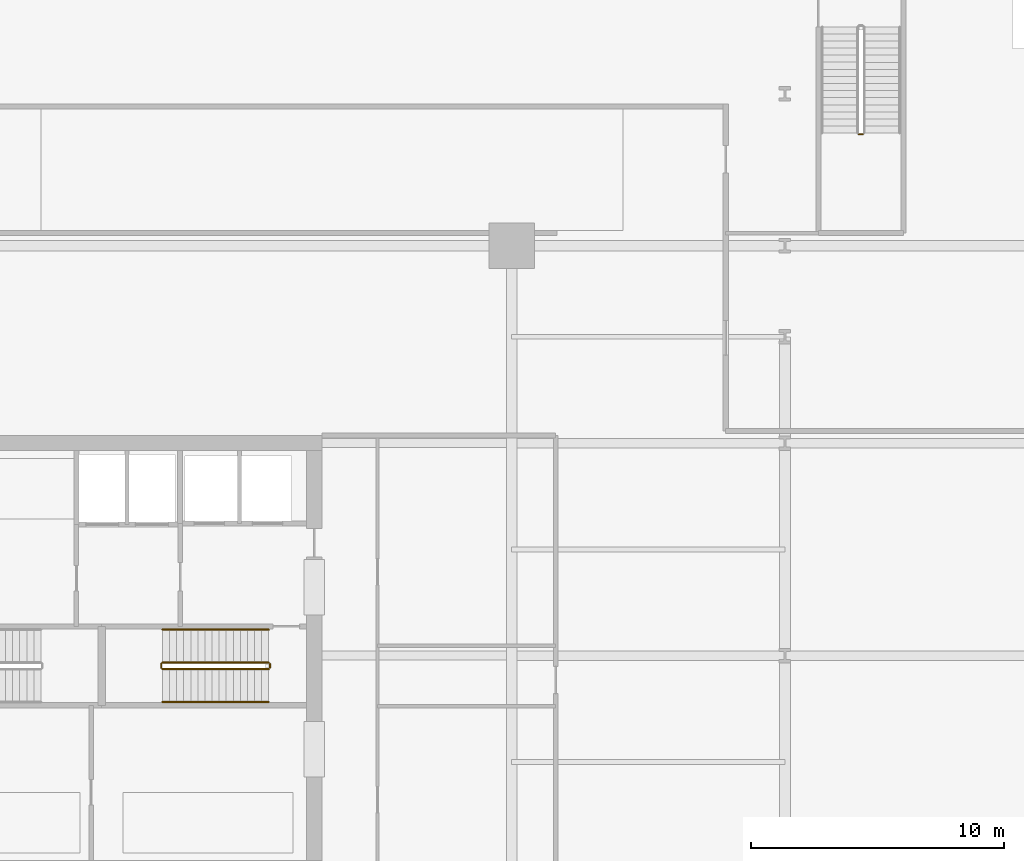
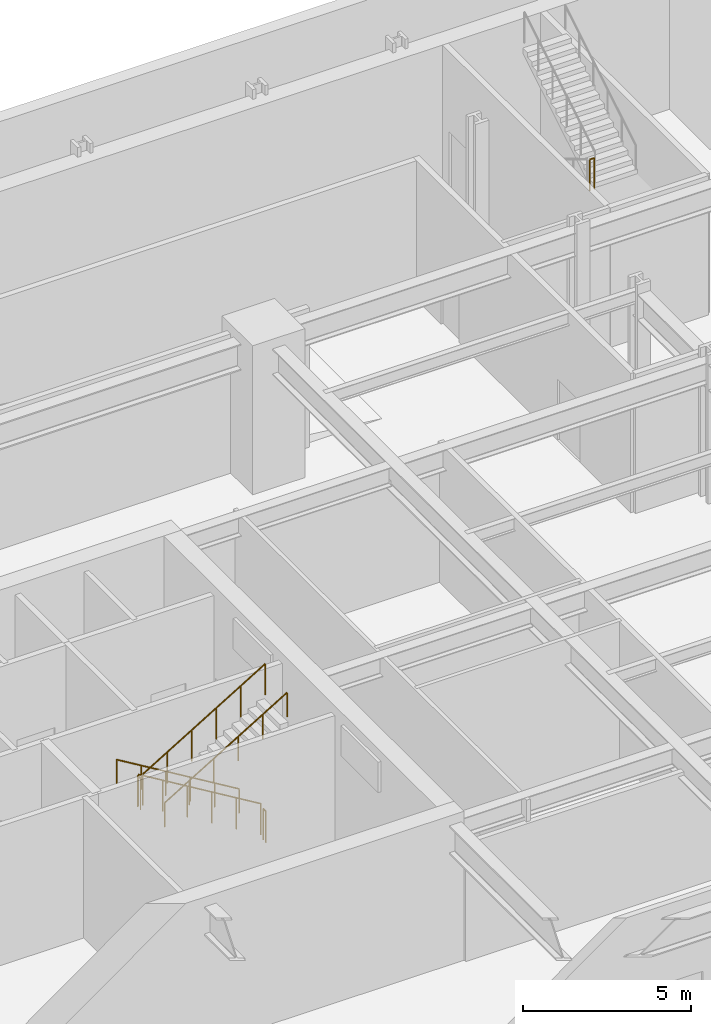
# One storey, part 8 of 9: 7 railings.
"""IFC4 building model written with IfcOpenShell, lengths in metres."""

from ifc_helpers import new_model, si_unit, direction, frame, origin, origin_2d, place, context, subcontext, project, spatial, circle, extrude, material, type_object, element, save


model = new_model("IFC4")

# Units and contexts
model_context = context("Model", 3, precision=1e-05, world=origin(), true_north=direction((0.0, 1.0)))
body_context = subcontext(model_context, "Body", "Model", "MODEL_VIEW")
ifc_project = project(units=[si_unit("LENGTHUNIT", "METRE"), si_unit("AREAUNIT", "SQUARE_METRE"), si_unit("VOLUMEUNIT", "CUBIC_METRE"), si_unit("PLANEANGLEUNIT", "RADIAN"), si_unit("MASSUNIT", "GRAM", prefix="KILO")], contexts=[model_context])

# Site, building, storey
site_placement = place(None, origin())
site = spatial("IfcSite", under=ifc_project, at=site_placement, CompositionType="ELEMENT")
building_placement = place(site_placement, origin())
building = spatial("IfcBuilding", under=site, at=building_placement, Name="Drelvath Grand Hotel", CompositionType="ELEMENT")
storey_placement = place(building_placement, frame((0.0, 0.0, -5.39990234375)))
storey = spatial("IfcBuildingStorey", under=building, at=storey_placement, Name="B1", CompositionType="ELEMENT", Elevation=-5.39990234375)

# Railings
ifc_material = material(Name="Painted Steel S275", Category="steel")
railing_type_1 = type_object("IfcRailingType", Name="Core Stair Wall Handrail 900", PredefinedType="HANDRAIL", material=ifc_material)
railing_1_placement = place(storey_placement, frame((6.60009765625, 28.030029296875, 0.168701171875)))
element("IfcRailing", 1, at=railing_1_placement, inside=storey, type_object=railing_type_1, Name="B1 ST-2 stair handrail 1", PredefinedType="HANDRAIL", context=body_context, shape_type="SweptSolid", body=[
    extrude(circle(Radius=0.02392578125, at=origin_2d()), frame((0.0, 0.0, 0.8759765625), z_axis=(-0.856489757249, 0.0, 0.516164020179), x_axis=(0.0, -1.0, 0.0)), (0.0, 0.0, 1.0), 4.904052734375),
    extrude(circle(Radius=0.02099609375, at=origin_2d()), origin(), (0.0, 0.0, 1.0), 0.851806640625),
    extrude(circle(Radius=0.02099609375, at=origin_2d()), frame((-0.840087890625, 0.0, 0.50634765625)), (0.0, 0.0, 1.0), 0.851806640625),
    extrude(circle(Radius=0.02099609375, at=origin_2d()), frame((-1.68017578125, 0.0, 1.012451171875)), (0.0, 0.0, 1.0), 0.851806640625),
    extrude(circle(Radius=0.02099609375, at=origin_2d()), frame((-2.52001953125, 0.0, 1.518798828125)), (0.0, 0.0, 1.0), 0.851806640625),
    extrude(circle(Radius=0.02099609375, at=origin_2d()), frame((-3.360107421875, 0.0, 2.02490234375)), (0.0, 0.0, 1.0), 0.851806640625),
    extrude(circle(Radius=0.02099609375, at=origin_2d()), frame((-4.2001953125, 0.0, 2.53125)), (0.0, 0.0, 1.0), 0.851806640625),
])
railing_2_placement = place(storey_placement, frame((2.39990234375, 25.169921875, 2.86865234375)))
element("IfcRailing", 2, at=railing_2_placement, inside=storey, type_object=railing_type_1, Name="B1 ST-2 stair handrail 2", PredefinedType="HANDRAIL", context=body_context, shape_type="SweptSolid", body=[
    extrude(circle(Radius=0.02392578125, at=origin_2d()), frame((0.0, 0.0, 0.8759765625), z_axis=(0.856489757249, 0.0, 0.516164020179), x_axis=(0.0, 1.0, 0.0)), (0.0, 0.0, 1.0), 4.904052734375),
    extrude(circle(Radius=0.02099609375, at=origin_2d()), origin(), (0.0, 0.0, 1.0), 0.851806640625),
    extrude(circle(Radius=0.02099609375, at=origin_2d()), frame((0.840087890625, 0.0, 0.50634765625)), (0.0, 0.0, 1.0), 0.851806640625),
    extrude(circle(Radius=0.02099609375, at=origin_2d()), frame((1.68017578125, 0.0, 1.012451171875)), (0.0, 0.0, 1.0), 0.851806640625),
    extrude(circle(Radius=0.02099609375, at=origin_2d()), frame((2.52001953125, 0.0, 1.518798828125)), (0.0, 0.0, 1.0), 0.851806640625),
    extrude(circle(Radius=0.02099609375, at=origin_2d()), frame((3.360107421875, 0.0, 2.02490234375)), (0.0, 0.0, 1.0), 0.851806640625),
    extrude(circle(Radius=0.02099609375, at=origin_2d()), frame((4.2001953125, 0.0, 2.53125)), (0.0, 0.0, 1.0), 0.851806640625),
])
railing_type_2 = type_object("IfcRailingType", Name="Core Stair Well Guardrail 1100", PredefinedType="GUARDRAIL", material=ifc_material)
railing_3_placement = place(storey_placement, frame((6.60009765625, 26.72998046875, 0.168701171875)))
element("IfcRailing", 3, at=railing_3_placement, inside=storey, type_object=railing_type_2, Name="B1 ST-2 stair guard 1", PredefinedType="GUARDRAIL", context=body_context, shape_type="SweptSolid", body=[
    extrude(circle(Radius=0.02392578125, at=origin_2d()), frame((0.0, 0.0, 1.1259765625), z_axis=(-0.856489757249, 0.0, 0.516164020179), x_axis=(0.0, -1.0, 0.0)), (0.0, 0.0, 1.0), 4.904052734375),
    extrude(circle(Radius=0.02099609375, at=origin_2d()), origin(), (0.0, 0.0, 1.0), 1.101806640625),
    extrude(circle(Radius=0.02099609375, at=origin_2d()), frame((-0.840087890625, 0.0, 0.50634765625)), (0.0, 0.0, 1.0), 1.101806640625),
    extrude(circle(Radius=0.02099609375, at=origin_2d()), frame((-1.68017578125, 0.0, 1.012451171875)), (0.0, 0.0, 1.0), 1.101806640625),
    extrude(circle(Radius=0.02099609375, at=origin_2d()), frame((-2.52001953125, 0.0, 1.518798828125)), (0.0, 0.0, 1.0), 1.101806640625),
    extrude(circle(Radius=0.02099609375, at=origin_2d()), frame((-3.360107421875, 0.0, 2.02490234375)), (0.0, 0.0, 1.0), 1.101806640625),
    extrude(circle(Radius=0.02099609375, at=origin_2d()), frame((-4.2001953125, 0.0, 2.53125)), (0.0, 0.0, 1.0), 1.101806640625),
])
railing_4_placement = place(storey_placement, frame((2.35009765625, 26.679931640625, 2.699951171875)))
element("IfcRailing", 4, at=railing_4_placement, inside=storey, type_object=railing_type_2, Name="B1 ST-2 stair guard 2", PredefinedType="GUARDRAIL", context=body_context, shape_type="SweptSolid", body=[
    extrude(circle(Radius=0.02392578125, at=origin_2d()), frame((0.0, 0.0, 1.1259765625), z_axis=(0.0, -1.0, 0.0), x_axis=(1.0, 0.0, 0.0)), (0.0, 0.0, 1.0), 0.159912109375),
    extrude(circle(Radius=0.02099609375, at=origin_2d()), origin(), (0.0, 0.0, 1.0), 1.101806640625),
    extrude(circle(Radius=0.02099609375, at=origin_2d()), frame((0.0, -0.159912109375, 0.0)), (0.0, 0.0, 1.0), 1.101806640625),
])
railing_5_placement = place(storey_placement, frame((2.39990234375, 26.469970703125, 2.86865234375)))
element("IfcRailing", 5, at=railing_5_placement, inside=storey, type_object=railing_type_2, Name="B1 ST-2 stair guard 3", PredefinedType="GUARDRAIL", context=body_context, shape_type="SweptSolid", body=[
    extrude(circle(Radius=0.02392578125, at=origin_2d()), frame((0.0, 0.0, 1.1259765625), z_axis=(0.856489757249, 0.0, 0.516164020179), x_axis=(0.0, 1.0, 0.0)), (0.0, 0.0, 1.0), 4.904052734375),
    extrude(circle(Radius=0.02099609375, at=origin_2d()), origin(), (0.0, 0.0, 1.0), 1.101806640625),
    extrude(circle(Radius=0.02099609375, at=origin_2d()), frame((0.840087890625, 0.0, 0.50634765625)), (0.0, 0.0, 1.0), 1.101806640625),
    extrude(circle(Radius=0.02099609375, at=origin_2d()), frame((1.68017578125, 0.0, 1.012451171875)), (0.0, 0.0, 1.0), 1.101806640625),
    extrude(circle(Radius=0.02099609375, at=origin_2d()), frame((2.52001953125, 0.0, 1.518798828125)), (0.0, 0.0, 1.0), 1.101806640625),
    extrude(circle(Radius=0.02099609375, at=origin_2d()), frame((3.360107421875, 0.0, 2.02490234375)), (0.0, 0.0, 1.0), 1.101806640625),
    extrude(circle(Radius=0.02099609375, at=origin_2d()), frame((4.2001953125, 0.0, 2.53125)), (0.0, 0.0, 1.0), 1.101806640625),
])
railing_6_placement = place(storey_placement, frame((6.64990234375, 26.679931640625, 0.0)))
element("IfcRailing", 6, at=railing_6_placement, inside=storey, type_object=railing_type_2, Name="B1 ST-2 stair guard 4", PredefinedType="GUARDRAIL", context=body_context, shape_type="SweptSolid", body=[
    extrude(circle(Radius=0.02392578125, at=origin_2d()), frame((0.0, 0.0, 1.1259765625), z_axis=(0.0, -1.0, 0.0), x_axis=(1.0, 0.0, 0.0)), (0.0, 0.0, 1.0), 0.159912109375),
    extrude(circle(Radius=0.02099609375, at=origin_2d()), origin(), (0.0, 0.0, 1.0), 1.101806640625),
    extrude(circle(Radius=0.02099609375, at=origin_2d()), frame((0.0, -0.159912109375, 0.0)), (0.0, 0.0, 1.0), 1.101806640625),
])
railing_7_placement = place(storey_placement, frame((29.919921875, 47.60009765625, 2.699951171875)))
element("IfcRailing", 7, at=railing_7_placement, inside=storey, type_object=railing_type_2, Name="B1 ST-4 stair guard 2", PredefinedType="GUARDRAIL", context=body_context, shape_type="SweptSolid", body=[
    extrude(circle(Radius=0.02392578125, at=origin_2d()), frame((0.0, 0.0, 1.1259765625), z_axis=(1.0, 0.0, 0.0), x_axis=(0.0, 1.0, 0.0)), (0.0, 0.0, 1.0), 0.16015625),
    extrude(circle(Radius=0.02099609375, at=origin_2d()), origin(), (0.0, 0.0, 1.0), 1.101806640625),
    extrude(circle(Radius=0.02099609375, at=origin_2d()), frame((0.16015625, 0.0, 0.0)), (0.0, 0.0, 1.0), 1.101806640625),
])

save(model, "model.ifc")
